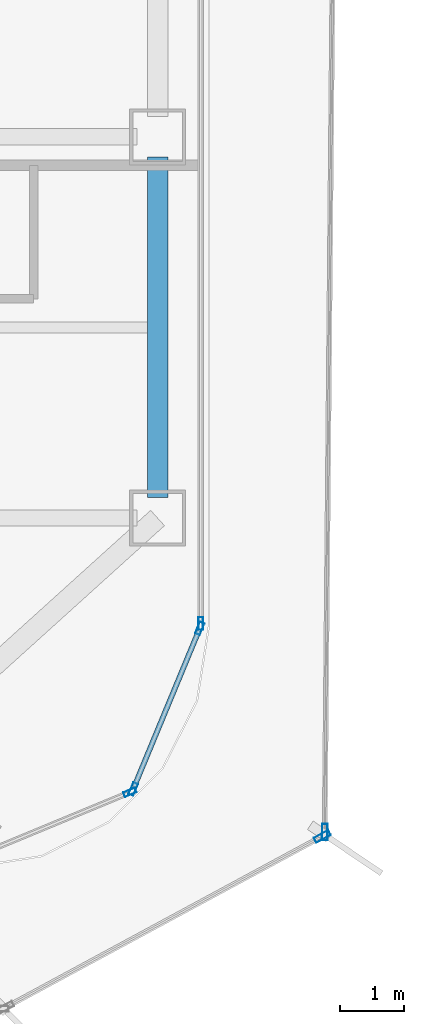
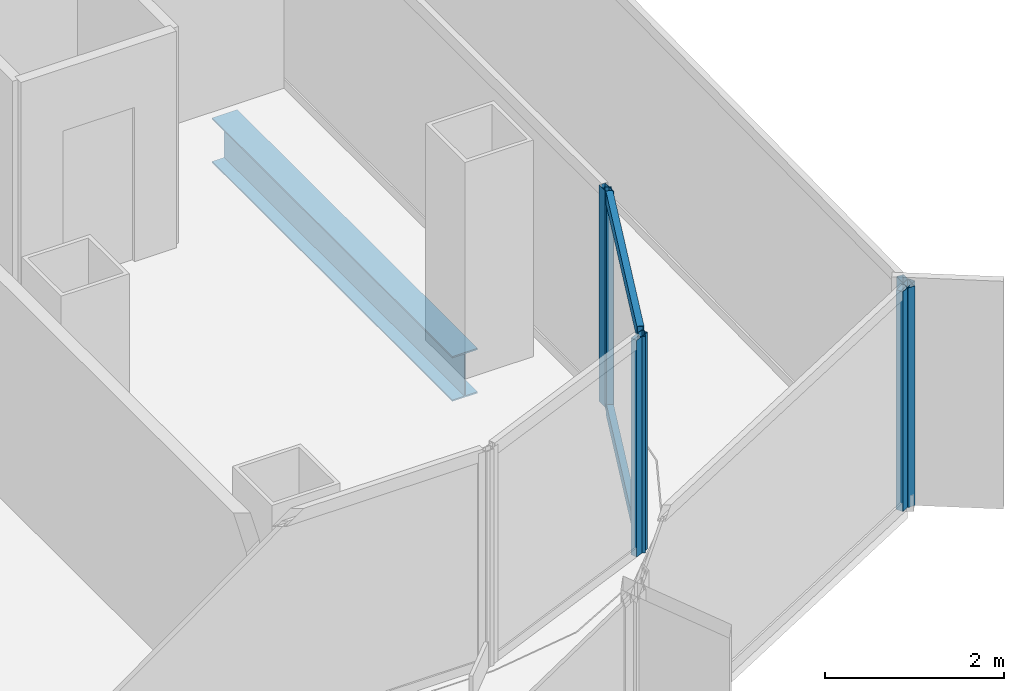
# One storey, part 8 of 21: 8 members, 1 beam, 5 elements without a shape of their own.
"""IFC4 building model written with IfcOpenShell, lengths in metres."""

from ifc_helpers import new_model, si_unit, direction, frame, origin, origin_2d, place, context, subcontext, project, spatial, hollow_rectangle, i_section, extrude, source, transform, mapped, material, layer, layer_set, material_profile, profile_set, type_object, element, aggregate, save


model = new_model("IFC4")

# Units and contexts
model_context = context("Model", 3, precision=1e-05, world=origin(), true_north=direction((0.0, 1.0)))
body_context = subcontext(model_context, "Body", "Model", "MODEL_VIEW")
ifc_project = project(units=[si_unit("LENGTHUNIT", "METRE"), si_unit("AREAUNIT", "SQUARE_METRE"), si_unit("VOLUMEUNIT", "CUBIC_METRE"), si_unit("PLANEANGLEUNIT", "RADIAN"), si_unit("MASSUNIT", "GRAM", prefix="KILO")], contexts=[model_context])

# Site, building, storey
site_placement = place(None, origin())
site = spatial("IfcSite", under=ifc_project, at=site_placement, CompositionType="ELEMENT")
building_placement = place(site_placement, origin())
building = spatial("IfcBuilding", under=site, at=building_placement, Name="Kolveth Station Tower", CompositionType="ELEMENT")
storey_placement = place(building_placement, frame((0.0, 0.0, 95.89990234375)))
storey = spatial("IfcBuildingStorey", under=building, at=storey_placement, Name="L25", CompositionType="ELEMENT", Elevation=95.89990234375)

# Beam
ifc_material_1 = material(Name="Steel S355", Category="steel")
ifc_material_profile_1 = material_profile(ifc_material_1, i_section(OverallWidth=0.323974609375, OverallDepth=0.611083984375, WebThickness=0.0126953125, FlangeThickness=0.01904296875, at=origin_2d()), Name="W610x155")
ifc_profile_set_1 = profile_set([ifc_material_profile_1], Name="Steel S355")
beam_type = type_object("IfcBeamType", Name="Beam_SP2", PredefinedType="SPANDREL", material=ifc_profile_set_1)
shared_shape_1 = source(origin(), body_context, "Body", "SweptSolid", [
    extrude(i_section(OverallWidth=0.323974609375, OverallDepth=0.611083984375, WebThickness=0.0126953125, FlangeThickness=0.01904296875, at=origin_2d()), origin(), (0.0, 0.0, 1.0), 5.35986328125),
])
beam_placement = place(storey_placement, frame((46.199951171875, 5.820068359375, -0.555419921875), z_axis=(0.0, 1.0, 0.0), x_axis=(-1.0, 0.0, 0.0)))
element("IfcBeam", 1, at=beam_placement, inside=storey, type_object=beam_type, Name="L25 Perimeter Spandrel BM-L25-PE-1", PredefinedType="SPANDREL", context=body_context, shape_type="MappedRepresentation", body=[
    mapped(shared_shape_1, transform((0.0, 0.0, 0.0), x_axis=(1.0, 0.0, 0.0), y_axis=(0.0, 1.0, 0.0), z_axis=(0.0, 0.0, 1.0), scale=1.0)),
])

# Curtain wall, members
ifc_material_2 = material(Name="Aluminium 6063-T6 and low-E dark glass", Category="aluminium")
ifc_layer_1 = layer(ifc_material_2, 0.18994140625)
ifc_layer_set_1 = layer_set([ifc_layer_1], Name="Aluminium 6063-T6 and low-E dark glass")
curtain_wall_type_1 = type_object("IfcCurtainWallType", Name="CurtainWall_CW-Z2", PredefinedType="NOTDEFINED", material=ifc_layer_set_1)
curtain_wall_1_placement = place(storey_placement, origin())
curtain_wall_1 = element("IfcCurtainWall", 2, at=curtain_wall_1_placement, inside=storey, type_object=curtain_wall_type_1, Name="L25 Inner Thermal Curtain Wall 2", PredefinedType="NOTDEFINED")
ifc_material_3 = material(Name="Black anodized aluminium 6063-T6", Category="aluminium")
ifc_material_profile_2 = material_profile(ifc_material_3, hollow_rectangle(XDim=0.080078125, YDim=0.169921875, WallThickness=0.0048828125, at=origin_2d()), Name="ALU-80x170x5")
ifc_profile_set_2 = profile_set([ifc_material_profile_2], Name="Black anodized aluminium 6063-T6")
member_type_1 = type_object("IfcMemberType", Name="Transom_TR2", PredefinedType="USERDEFINED", material=ifc_profile_set_2)
shared_shape_2 = source(origin(), body_context, "Body", "SweptSolid", [
    extrude(hollow_rectangle(XDim=0.080078125, YDim=0.169921875, WallThickness=0.0048828125, at=origin_2d()), origin(), (0.0, 0.0, 1.0), 2.656494140625),
])
member_1_placement = place(storey_placement, frame((45.832763671875, 1.271728515625, 0.0400390625), z_axis=(0.382676455475, 0.923882422403, 0.0), x_axis=(-0.923882422403, 0.382676455475, 0.0)))
member_1 = element("IfcMember", 3, at=member_1_placement, type_object=member_type_1, Name="CW-Z2 transom 1.1", ObjectType="TRANSOM", PredefinedType="USERDEFINED", context=body_context, shape_type="MappedRepresentation", body=[
    mapped(shared_shape_2, transform((0.0, 0.0, 0.0), x_axis=(1.0, 0.0, 0.0), y_axis=(0.0, 1.0, 0.0), z_axis=(0.0, 0.0, 1.0), scale=1.0)),
])
member_2_placement = place(storey_placement, frame((45.832763671875, 1.271728515625, 2.91015625), z_axis=(0.382676455475, 0.923882422403, 0.0), x_axis=(-0.923882422403, 0.382676455475, 0.0)))
member_2 = element("IfcMember", 4, at=member_2_placement, type_object=member_type_1, Name="CW-Z2 transom 1.2", ObjectType="TRANSOM", PredefinedType="USERDEFINED", context=body_context, shape_type="MappedRepresentation", body=[
    mapped(shared_shape_2, transform((0.0, 0.0, 0.0), x_axis=(1.0, 0.0, 0.0), y_axis=(0.0, 1.0, 0.0), z_axis=(0.0, 0.0, 1.0), scale=1.0)),
])

# Curtain wall, member
ifc_material_4 = material(Name="Black anodized aluminium 6063-T6 and dark solar glass", Category="aluminium")
ifc_layer_2 = layer(ifc_material_4, 0.159912109375)
ifc_layer_set_2 = layer_set([ifc_layer_2], Name="Black anodized aluminium 6063-T6 and dark solar glass")
curtain_wall_type_2 = type_object("IfcCurtainWallType", Name="OUTER SKIN CW-OS", PredefinedType="NOTDEFINED", material=ifc_layer_set_2)
curtain_wall_2_placement = place(storey_placement, origin())
curtain_wall_2 = element("IfcCurtainWall", 5, at=curtain_wall_2_placement, inside=storey, type_object=curtain_wall_type_2, Name="L25 Outer Ventilated Skin Curtain Wall 1", PredefinedType="NOTDEFINED")
ifc_material_profile_3 = material_profile(ifc_material_3, hollow_rectangle(XDim=0.090087890625, YDim=0.260009765625, WallThickness=0.0048828125, at=origin_2d()), Name="ALU-90x260x5")
ifc_profile_set_3 = profile_set([ifc_material_profile_3], Name="Black anodized aluminium 6063-T6")
member_type_2 = type_object("IfcMemberType", Name="FIN MULLION ML-OS", PredefinedType="MULLION", material=ifc_profile_set_3)
shared_shape_3 = source(origin(), body_context, "Body", "SweptSolid", [
    extrude(hollow_rectangle(XDim=0.090087890625, YDim=0.260009765625, WallThickness=0.0048828125, at=origin_2d()), origin(), (0.0, 0.0, 1.0), 2.989990234375),
])
member_3_placement = place(storey_placement, frame((48.793701171875, 0.4892578125, 0.0), z_axis=(0.0, 0.0, 1.0), x_axis=(-0.475374489105, 0.879783550146, 0.0)))
member_3 = element("IfcMember", 6, at=member_3_placement, type_object=member_type_2, Name="CW-OS mullion 2", PredefinedType="MULLION", context=body_context, shape_type="MappedRepresentation", body=[
    mapped(shared_shape_3, transform((0.0, 0.0, 0.0), x_axis=(1.0, 0.0, 0.0), y_axis=(0.0, 1.0, 0.0), z_axis=(0.0, 0.0, 1.0), scale=1.0)),
])
aggregate(curtain_wall_2, [member_3])

curtain_wall_3_placement = place(storey_placement, origin())
curtain_wall_3 = element("IfcCurtainWall", 7, at=curtain_wall_3_placement, inside=storey, type_object=curtain_wall_type_2, Name="L25 Outer Ventilated Skin Curtain Wall 2", PredefinedType="NOTDEFINED")
member_4_placement = place(storey_placement, frame((48.83349609375, 0.5556640625, 0.0), z_axis=(0.0, 0.0, 1.0), x_axis=(-0.999958905218, 0.009065752888, 0.0)))
member_4 = element("IfcMember", 8, at=member_4_placement, type_object=member_type_2, Name="CW-OS mullion 1", PredefinedType="MULLION", context=body_context, shape_type="MappedRepresentation", body=[
    mapped(shared_shape_3, transform((0.0, 0.0, 0.0), x_axis=(1.0, 0.0, 0.0), y_axis=(0.0, 1.0, 0.0), z_axis=(0.0, 0.0, 1.0), scale=1.0)),
])
aggregate(curtain_wall_3, [member_4])

curtain_wall_4_placement = place(storey_placement, origin())
curtain_wall_4 = element("IfcCurtainWall", 9, at=curtain_wall_4_placement, inside=storey, type_object=curtain_wall_type_1, Name="L25 Inner Thermal Curtain Wall 1", PredefinedType="NOTDEFINED")
ifc_material_profile_4 = material_profile(ifc_material_3, hollow_rectangle(XDim=0.080078125, YDim=0.199951171875, WallThickness=0.0048828125, at=origin_2d()), Name="ALU-80x200x5")
ifc_profile_set_4 = profile_set([ifc_material_profile_4], Name="Black anodized aluminium 6063-T6")
member_type_3 = type_object("IfcMemberType", Name="Mullion_ML2", PredefinedType="MULLION", material=ifc_profile_set_4)
shared_shape_4 = source(origin(), body_context, "Body", "SweptSolid", [
    extrude(hollow_rectangle(XDim=0.080078125, YDim=0.199951171875, WallThickness=0.0048828125, at=origin_2d()), origin(), (0.0, 0.0, 1.0), 2.9501953125),
])
member_5_placement = place(storey_placement, frame((45.76513671875, 1.182373046875, 0.0), z_axis=(0.0, 0.0, 1.0), x_axis=(-0.38266326998, 0.923887883787, 0.0)))
member_5 = element("IfcMember", 10, at=member_5_placement, type_object=member_type_3, Name="CW-Z2 mullion 2", PredefinedType="MULLION", context=body_context, shape_type="MappedRepresentation", body=[
    mapped(shared_shape_4, transform((0.0, 0.0, 0.0), x_axis=(1.0, 0.0, 0.0), y_axis=(0.0, 1.0, 0.0), z_axis=(0.0, 0.0, 1.0), scale=1.0)),
])
aggregate(curtain_wall_4, [member_5])

# Member
member_6_placement = place(storey_placement, frame((45.817626953125, 1.23486328125, 0.0), z_axis=(0.0, 0.0, 1.0), x_axis=(-0.923887883787, 0.38266326998, 0.0)))
member_6 = element("IfcMember", 11, at=member_6_placement, type_object=member_type_3, Name="CW-Z2 mullion 1", PredefinedType="MULLION", context=body_context, shape_type="MappedRepresentation", body=[
    mapped(shared_shape_4, transform((0.0, 0.0, 0.0), x_axis=(1.0, 0.0, 0.0), y_axis=(0.0, 1.0, 0.0), z_axis=(0.0, 0.0, 1.0), scale=1.0)),
])

member_7_placement = place(storey_placement, frame((46.86474609375, 3.762939453125, 0.0), z_axis=(0.0, 0.0, 1.0), x_axis=(-0.923887883787, 0.38266326998, 0.0)))
member_7 = element("IfcMember", 12, at=member_7_placement, type_object=member_type_3, Name="CW-Z2 mullion 2", PredefinedType="MULLION", context=body_context, shape_type="MappedRepresentation", body=[
    mapped(shared_shape_4, transform((0.0, 0.0, 0.0), x_axis=(1.0, 0.0, 0.0), y_axis=(0.0, 1.0, 0.0), z_axis=(0.0, 0.0, 1.0), scale=1.0)),
])

aggregate(curtain_wall_1, [member_6, member_7, member_1, member_2])

# Curtain wall, member
curtain_wall_5_placement = place(storey_placement, origin())
curtain_wall_5 = element("IfcCurtainWall", 13, at=curtain_wall_5_placement, inside=storey, type_object=curtain_wall_type_1, Name="L25 Inner Thermal Curtain Wall 3", PredefinedType="NOTDEFINED")
member_8_placement = place(storey_placement, frame((46.8798828125, 3.840087890625, 0.0), z_axis=(0.0, 0.0, 1.0), x_axis=(-1.0, 0.0, 0.0)))
member_8 = element("IfcMember", 14, at=member_8_placement, type_object=member_type_3, Name="CW-Z2 mullion 1", PredefinedType="MULLION", context=body_context, shape_type="MappedRepresentation", body=[
    mapped(shared_shape_4, transform((0.0, 0.0, 0.0), x_axis=(1.0, 0.0, 0.0), y_axis=(0.0, 1.0, 0.0), z_axis=(0.0, 0.0, 1.0), scale=1.0)),
])
aggregate(curtain_wall_5, [member_8])

save(model, "model.ifc")
